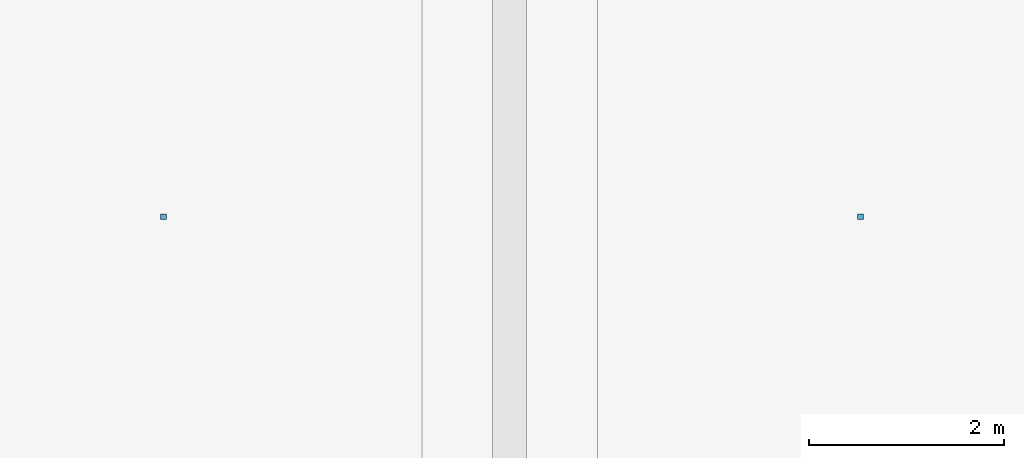
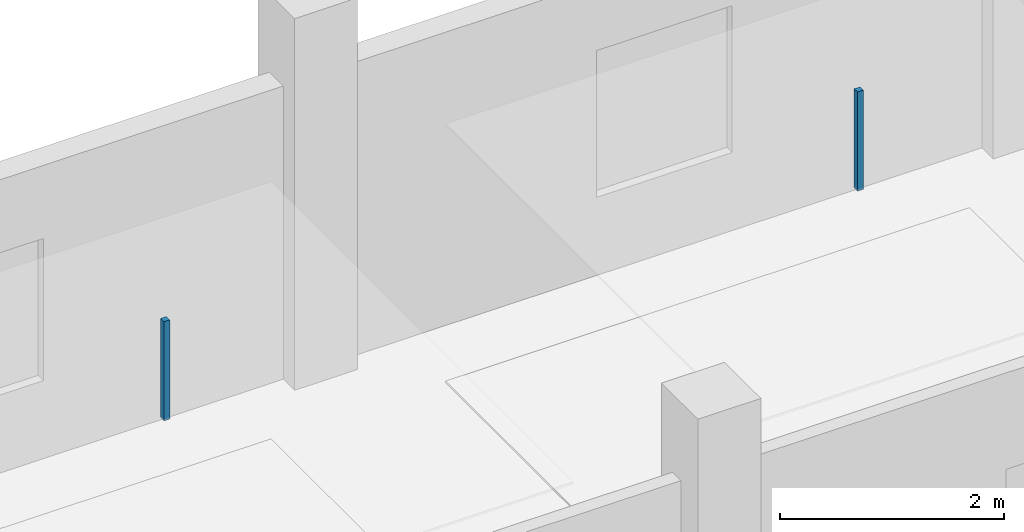
# One storey, part 91 of 108: 2 discrete accessories.
"""IFC4 building model written with IfcOpenShell, lengths in metres."""

from ifc_helpers import new_model, si_unit, direction, frame, origin, origin_2d, place, context, subcontext, project, spatial, rectangle, extrude, material, type_object, element, save


model = new_model("IFC4")

# Units and contexts
model_context = context("Model", 3, precision=1e-05, world=origin(), true_north=direction((0.0, 1.0)))
body_context = subcontext(model_context, "Body", "Model", "MODEL_VIEW")
ifc_project = project(units=[si_unit("LENGTHUNIT", "METRE"), si_unit("AREAUNIT", "SQUARE_METRE"), si_unit("VOLUMEUNIT", "CUBIC_METRE"), si_unit("PLANEANGLEUNIT", "RADIAN"), si_unit("MASSUNIT", "GRAM", prefix="KILO")], contexts=[model_context])

# Site, building, storey
site_placement = place(None, origin())
site = spatial("IfcSite", under=ifc_project, at=site_placement, CompositionType="ELEMENT")
building_placement = place(site_placement, origin())
building = spatial("IfcBuilding", under=site, at=building_placement, Name="Kangsadwip Square Police Headquarters", CompositionType="ELEMENT")
storey_placement = place(building_placement, frame((0.0, 0.0, 9.449951171875)))
storey = spatial("IfcBuildingStorey", under=building, at=storey_placement, Name="L02", CompositionType="ELEMENT", Elevation=9.449951171875)

# Discrete accessories
ifc_material = material(Name="Structural steel IS 2062 E350 (Grade 350, 350 MPa)", Category="steel")
discrete_accessory_type = type_object("IfcDiscreteAccessoryType", Name="VeilOutriggerBracket", PredefinedType="BRACKET", material=ifc_material)
for number, where, z_axis, x_axis, name in (
    (1, (111.64990234375, 32.39990234375, 2.81005859375), (0.0, 0.0, 1.0), (1.0, 0.0, 0.0), "Ceiling Suspension Hanger L02-087"),
    (2, (118.800048828125, 32.39990234375, 2.81005859375), (0.0, 0.0, 1.0), (1.0, 0.0, 0.0), "Ceiling Suspension Hanger L02-088"),
):
    element("IfcDiscreteAccessory", number, at=place(storey_placement, frame(where, z_axis=z_axis, x_axis=x_axis)), inside=storey, type_object=discrete_accessory_type, Name=name, PredefinedType="BRACKET", context=body_context, shape_type="SweptSolid", body=[
        extrude(rectangle(XDim=0.06005859375, YDim=0.06005859375, at=origin_2d()), origin(), (0.0, 0.0, 1.0), 1.080078125),
    ])

save(model, "model.ifc")
